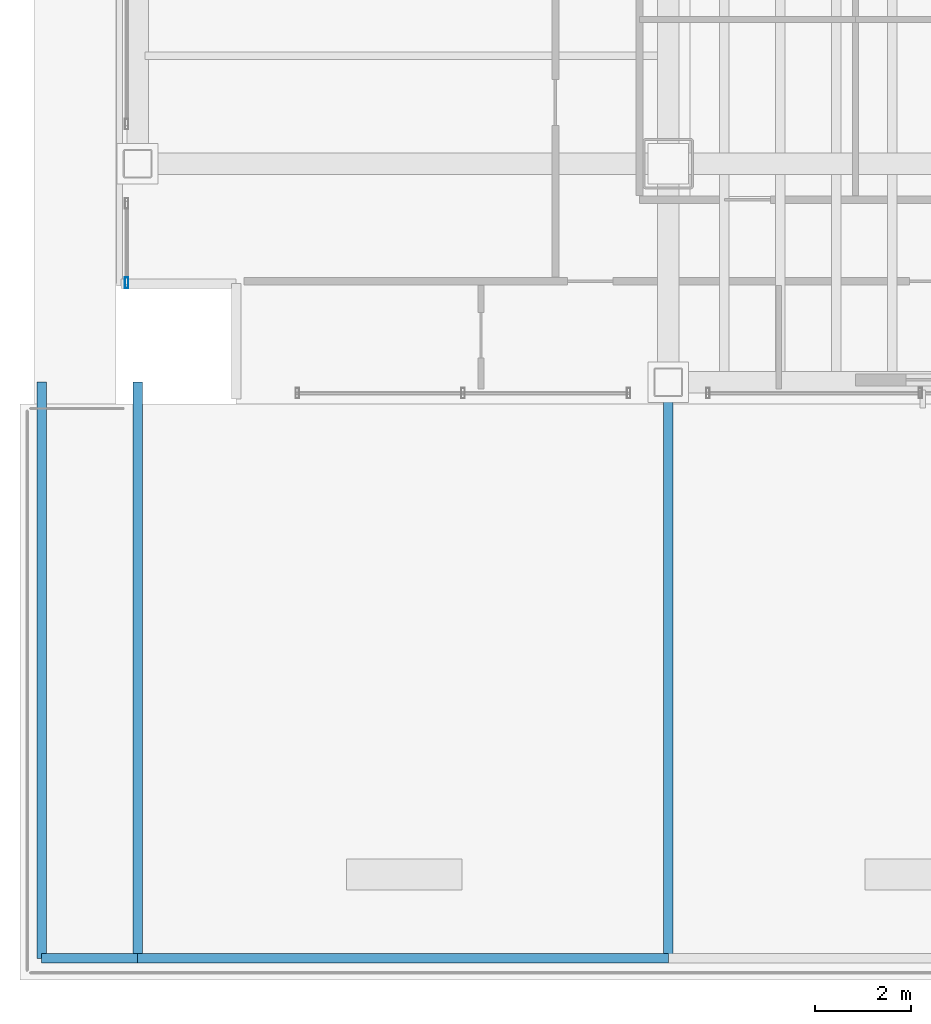
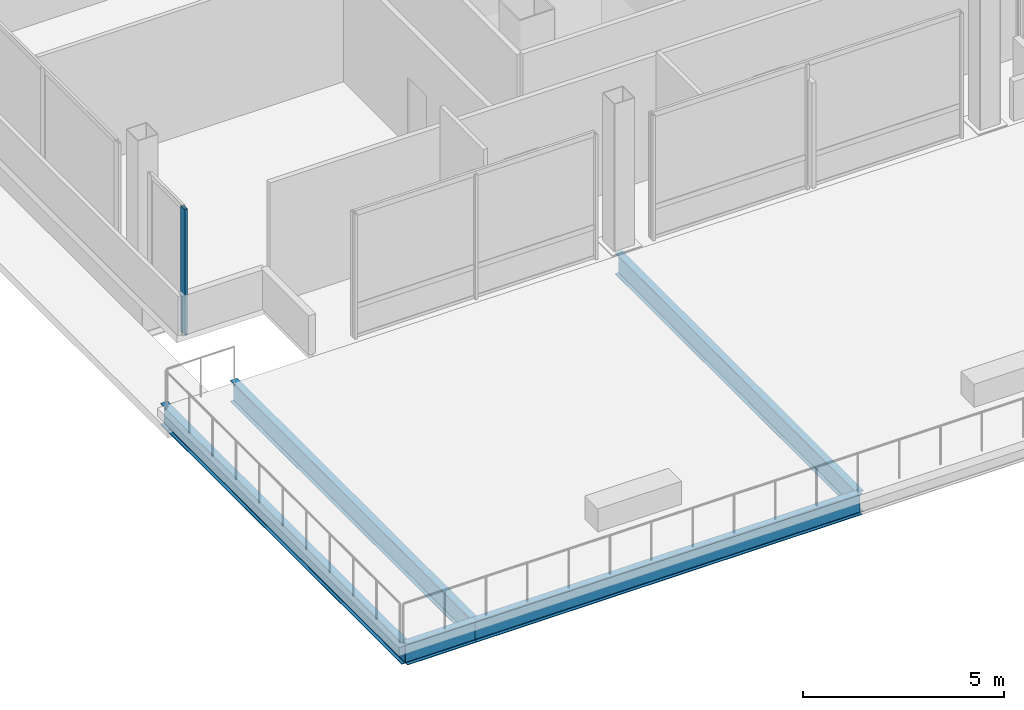
# One storey, part 4 of 34: 5 beams, 1 member, 1 element without a shape of its own.
"""IFC4 building model written with IfcOpenShell, lengths in metres."""

import ifcopenshell
import ifcopenshell.guid

model = None  # the IFC model being written
_history = None  # IfcOwnerHistory: only IFC2X3 demands one
_inside = {}  # id of a spatial element -> (the spatial element, [elements in it])
_under = {}  # id of a project, library or spatial element -> (it, [spatial elements below it])
_declared = {}  # id of a project -> (the project, [libraries it declares])
_typed = {}  # id of a type object -> (the type object, [elements of that type])
_made_of = {}  # id of a material, layer set ... -> (it, [elements and type objects made of it])


def new_model(schema):
    """Start an empty IFC model of exactly this schema.

    Asked for "IFC4X3", IfcOpenShell would pick the latest addendum, in which some entities
    have other attributes; the version numbers below select the first issue.
    IFC2X3 requires an IfcOwnerHistory on every rooted entity: one is made here for all.
    """
    global model, _history
    if schema == "IFC4X3":
        model = ifcopenshell.file(schema_version=(4, 3, 0, 0))
    else:
        model = ifcopenshell.file(schema=schema)
    _inside.clear()
    _under.clear()
    _declared.clear()
    _typed.clear()
    _made_of.clear()
    _history = None
    if model.schema == "IFC2X3":
        org = make("IfcOrganization", Name="unknown")
        user = make(
            "IfcPersonAndOrganization",
            ThePerson=make("IfcPerson", FamilyName="unknown"),
            TheOrganization=org,
        )
        app = make(
            "IfcApplication",
            ApplicationDeveloper=org,
            Version="unknown",
            ApplicationFullName="unknown",
            ApplicationIdentifier="unknown",
        )
        _history = make(
            "IfcOwnerHistory",
            OwningUser=user,
            OwningApplication=app,
            ChangeAction="ADDED",
            CreationDate=0,
        )
    return model


def make(cls, **values):
    """One entity of the class cls with the attributes given. An attribute that is None is left unset."""
    return model.create_entity(
        cls, **{name: value for name, value in values.items() if value is not None}
    )


def rooted(cls, **values):
    """An entity with a GlobalId (a new one), such as an element, a storey or a relation."""
    return make(cls, GlobalId=ifcopenshell.guid.new(), OwnerHistory=_history, **values)


def si_unit(unit_type, name, prefix=None):
    """IfcSIUnit, for example si_unit("LENGTHUNIT", "METRE", prefix="MILLI")."""
    return make("IfcSIUnit", UnitType=unit_type, Prefix=prefix, Name=name)


def assignment(units):
    """IfcUnitAssignment: the units of a project."""
    return None if units is None else make("IfcUnitAssignment", Units=units)


def point(xyz):
    """IfcCartesianPoint."""
    return None if xyz is None else make("IfcCartesianPoint", Coordinates=xyz)


def direction(xyz):
    """IfcDirection."""
    return None if xyz is None else make("IfcDirection", DirectionRatios=xyz)


def frame(location, z_axis=None, x_axis=None):
    """IfcAxis2Placement3D, a coordinate frame: its origin and axes. An axis left out is left unset."""
    return make(
        "IfcAxis2Placement3D",
        Location=point(location),
        Axis=direction(z_axis),
        RefDirection=direction(x_axis),
    )


def frame_2d(location, x_axis=None):
    """IfcAxis2Placement2D, a coordinate frame in the plane: its origin and x axis."""
    return make(
        "IfcAxis2Placement2D", Location=point(location), RefDirection=direction(x_axis)
    )


def origin():
    """The frame at (0, 0, 0) with its axes left unset."""
    return frame((0.0, 0.0, 0.0))


def origin_2d():
    """The frame at (0, 0) in the plane with its x axis left unset."""
    return frame_2d((0.0, 0.0))


def place(relative_to, where):
    """IfcLocalPlacement: puts the frame where relative to a parent placement (None: the world)."""
    return make(
        "IfcLocalPlacement", PlacementRelTo=relative_to, RelativePlacement=where
    )


def context(
    kind, dimensions, precision=None, world=None, true_north=None, identifier=None
):
    """IfcGeometricRepresentationContext, for example the 3D "Model" context."""
    return make(
        "IfcGeometricRepresentationContext",
        ContextIdentifier=identifier,
        ContextType=kind,
        CoordinateSpaceDimension=dimensions,
        Precision=precision,
        WorldCoordinateSystem=world,
        TrueNorth=true_north,
    )


def subcontext(parent, identifier, kind, view, scale=None):
    """IfcGeometricRepresentationSubContext, for example "Body" below "Model"."""
    return make(
        "IfcGeometricRepresentationSubContext",
        ContextIdentifier=identifier,
        ContextType=kind,
        ParentContext=parent,
        TargetScale=scale,
        TargetView=view,
    )


def project(units=None, contexts=None):
    """IfcProject with its units and contexts."""
    return rooted(
        "IfcProject",
        Name="project",
        RepresentationContexts=contexts,
        UnitsInContext=assignment(units),
    )


def spatial(cls, under=None, at=None, **own):
    """A site, building, storey or space (cls), placed at a placement, below another one or the project."""
    s = rooted(cls, ObjectPlacement=at, **own)
    if under is not None:
        _under.setdefault(under.id(), (under, []))[1].append(s)
    return s


def profile(cls, at=None, kind="AREA", **sizes):
    """A parametric profile (cls). Its sizes go by their IFC names, for example OverallWidth=200.0."""
    return make(cls, ProfileType=kind, Position=at, **sizes)


def hollow_rectangle(**sizes):
    """IfcRectangleHollowProfileDef."""
    return profile("IfcRectangleHollowProfileDef", **sizes)


def i_section(**sizes):
    """IfcIShapeProfileDef."""
    return profile("IfcIShapeProfileDef", **sizes)


def extrude(swept, where, along, depth):
    """IfcExtrudedAreaSolid: the profile swept, set in the frame where, extruded along a direction by depth."""
    return make(
        "IfcExtrudedAreaSolid",
        SweptArea=swept,
        Position=where,
        ExtrudedDirection=direction(along),
        Depth=depth,
    )


def shape(context_of_items, identifier, shape_type, items):
    """IfcShapeRepresentation: the items that make up one representation, for example the "Body"."""
    return make(
        "IfcShapeRepresentation",
        ContextOfItems=context_of_items,
        RepresentationIdentifier=identifier,
        RepresentationType=shape_type,
        Items=items,
    )


def material(Name=None, Category=None):
    """IfcMaterial."""
    return make("IfcMaterial", Name=Name, Category=Category)


def material_profile(
    of_material, cross_section, Name=None, Category=None, Priority=None
):
    """IfcMaterialProfile: a cross section and its material."""
    return make(
        "IfcMaterialProfile",
        Name=Name,
        Material=of_material,
        Profile=cross_section,
        Priority=Priority,
        Category=Category,
    )


def profile_set(profiles, Name=None, composite=None):
    """IfcMaterialProfileSet."""
    return make(
        "IfcMaterialProfileSet",
        Name=Name,
        MaterialProfiles=profiles,
        CompositeProfile=composite,
    )


def made_of(thing, what):
    """Note that an element or type object is made of a material, layer set ...; save() writes the relation."""
    if what is not None:
        _made_of.setdefault(what.id(), (what, []))[1].append(thing)
    return thing


def type_object(cls, material=None, **own):
    """A type object (cls), such as IfcWallType, which elements share."""
    return made_of(rooted(cls, **own), material)


def element(
    cls,
    number,
    at=None,
    inside=None,
    cuts=None,
    type_object=None,
    material=None,
    context=None,
    identifier="Body",
    shape_type=None,
    held_by="IfcProductDefinitionShape",
    body=None,
    shapes=None,
    **own,
):
    """One element of the class cls, such as IfcWall. Its Tag is "e" and its number.

    at: its placement. inside: the storey or other place that contains it. cuts: it is an
    opening in that element (IfcRelVoidsElement). A single representation is given by context,
    identifier, shape_type and body (its items); several are given by shapes. held_by: the class
    of the entity that holds the representations. save() writes the other relations.
    """
    e = rooted(cls, Tag="e%d" % number, ObjectPlacement=at, **own)
    if body is not None:
        shapes = [shape(context, identifier, shape_type, body)]
    if shapes is not None:
        e.Representation = make(held_by, Representations=shapes)
    if inside is not None:
        _inside.setdefault(inside.id(), (inside, []))[1].append(e)
    if cuts is not None:
        rooted(
            "IfcRelVoidsElement", RelatingBuildingElement=cuts, RelatedOpeningElement=e
        )
    if type_object is not None:
        _typed.setdefault(type_object.id(), (type_object, []))[1].append(e)
    return made_of(e, material)


def aggregate(whole, parts):
    """IfcRelAggregates: a whole, such as a stair, and the parts it consists of."""
    return rooted("IfcRelAggregates", RelatingObject=whole, RelatedObjects=parts)


def save(model, path):
    """Write the relations noted so far, then the file.

    IfcRelAggregates (storeys below a building ...), IfcRelContainedInSpatialStructure (elements
    in a storey), IfcRelDefinesByType, IfcRelAssociatesMaterial and IfcRelDeclares: one each for
    every whole, place, type object, material and project.
    """
    for whole, parts in _under.values():
        aggregate(whole, parts)
    for where, things in _inside.values():
        rooted(
            "IfcRelContainedInSpatialStructure",
            RelatedElements=things,
            RelatingStructure=where,
        )
    for kind, things in _typed.values():
        rooted("IfcRelDefinesByType", RelatedObjects=things, RelatingType=kind)
    for what, things in _made_of.values():
        rooted("IfcRelAssociatesMaterial", RelatedObjects=things, RelatingMaterial=what)
    for by, libraries in _declared.values():
        rooted("IfcRelDeclares", RelatingContext=by, RelatedDefinitions=libraries)
    model.write(path)


model = new_model("IFC4")

# Units and contexts
model_context = context("Model", 3, precision=1e-05, world=origin(), true_north=direction((0.0, 1.0)))
body_context = subcontext(model_context, "Body", "Model", "MODEL_VIEW")
ifc_project = project(units=[si_unit("LENGTHUNIT", "METRE"), si_unit("AREAUNIT", "SQUARE_METRE"), si_unit("VOLUMEUNIT", "CUBIC_METRE"), si_unit("PLANEANGLEUNIT", "RADIAN"), si_unit("MASSUNIT", "GRAM", prefix="KILO")], contexts=[model_context])

# Site, building, storey
site_placement = place(None, origin())
site = spatial("IfcSite", under=ifc_project, at=site_placement, CompositionType="ELEMENT")
building_placement = place(site_placement, origin())
building = spatial("IfcBuilding", under=site, at=building_placement, Name="Noeulbin Bourse Tower", CompositionType="ELEMENT")
storey_placement = place(building_placement, frame((0.0, 0.0, 22.0)))
storey = spatial("IfcBuildingStorey", under=building, at=storey_placement, Name="L05", CompositionType="ELEMENT", Elevation=22.0)

# Beams
ifc_material_1 = material(Name="Steel S355", Category="steel")
ifc_material_profile_1 = material_profile(ifc_material_1, i_section(OverallWidth=0.199951171875, OverallDepth=0.64990234375, WebThickness=0.010986328125, FlangeThickness=0.01904296875, FilletRadius=0.02197265625, at=origin_2d()), Name="H-650x200x11x19", Category="LoadBearing")
ifc_profile_set_1 = profile_set([ifc_material_profile_1], Name="Steel S355")
beam_type = type_object("IfcBeamType", Name="BM-GRD-650", PredefinedType="USERDEFINED", material=ifc_profile_set_1)
beam_1_placement = place(storey_placement, frame((0.449951171875, 3.449951171875, -0.574951171875), z_axis=(1.0, 0.0, 0.0), x_axis=(0.0, 1.0, 0.0)))
element("IfcBeam", 1, at=beam_1_placement, inside=storey, type_object=beam_type, Name="BM-L05-PTER-EW1", ObjectType="GIRDER", PredefinedType="USERDEFINED", context=body_context, shape_type="SweptSolid", body=[
    extrude(i_section(OverallWidth=0.199951171875, OverallDepth=0.64990234375, WebThickness=0.010986328125, FlangeThickness=0.01904296875, FilletRadius=0.02197265625, at=origin_2d()), origin(), (0.0, 0.0, 1.0), 2.0),
])
beam_2_placement = place(storey_placement, frame((2.449951171875, 3.449951171875, -0.574951171875), z_axis=(1.0, 0.0, 0.0), x_axis=(0.0, 1.0, 0.0)))
element("IfcBeam", 2, at=beam_2_placement, inside=storey, type_object=beam_type, Name="BM-L05-PTER-EW2", ObjectType="GIRDER", PredefinedType="USERDEFINED", context=body_context, shape_type="SweptSolid", body=[
    extrude(i_section(OverallWidth=0.199951171875, OverallDepth=0.64990234375, WebThickness=0.010986328125, FlangeThickness=0.01904296875, FilletRadius=0.02197265625, at=origin_2d()), origin(), (0.0, 0.0, 1.0), 11.050048828125),
])
for number, where, z_axis, x_axis, name in (
    (3, (0.449951171875, 3.449951171875, -0.574951171875), (0.0, 1.0, 0.0), (-1.0, 0.0, 0.0), "BM-L05-PTER-NS1"),
    (4, (2.449951171875, 3.449951171875, -0.574951171875), (0.0, 1.0, 0.0), (-1.0, 0.0, 0.0), "BM-L05-PTER-NS2"),
    (5, (13.5, 3.449951171875, -0.574951171875), (0.0, 1.0, 0.0), (-1.0, 0.0, 0.0), "BM-L05-PTER-NS3"),
):
    element("IfcBeam", number, at=place(storey_placement, frame(where, z_axis=z_axis, x_axis=x_axis)), inside=storey, type_object=beam_type, Name=name, ObjectType="GIRDER", PredefinedType="USERDEFINED", context=body_context, shape_type="SweptSolid", body=[
        extrude(i_section(OverallWidth=0.199951171875, OverallDepth=0.64990234375, WebThickness=0.010986328125, FlangeThickness=0.01904296875, FilletRadius=0.02197265625, at=origin_2d()), origin(), (0.0, 0.0, 1.0), 12.0),
    ])

# Curtain wall, member
ifc_material_2 = material(Name="Dark Solar-Control Double Glazing", Category="glass")
curtain_wall_type = type_object("IfcCurtainWallType", Name="CW-SYS-2", PredefinedType="NOTDEFINED", material=ifc_material_2)
curtain_wall_placement = place(storey_placement, origin())
curtain_wall = element("IfcCurtainWall", 6, at=curtain_wall_placement, inside=storey, type_object=curtain_wall_type, Name="Unitised Curtain Wall CW-L05-W-S1", PredefinedType="NOTDEFINED")
ifc_material_3 = material(Name="Anodised Aluminium 6063-T6", Category="aluminium")
ifc_material_profile_2 = material_profile(ifc_material_3, hollow_rectangle(XDim=0.074951171875, YDim=0.219970703125, WallThickness=0.0048828125, InnerFilletRadius=0.00244140625, OuterFilletRadius=0.0048828125, at=origin_2d()), Name="ALU-MULL-75x220x5", Category="LoadBearing")
ifc_profile_set_2 = profile_set([ifc_material_profile_2], Name="Anodised Aluminium 6063-T6")
member_type = type_object("IfcMemberType", Name="CW-SYS-2-MUL", PredefinedType="MULLION", material=ifc_profile_set_2)
member_placement = place(storey_placement, frame((2.219970703125, 17.52001953125, -0.02001953125), z_axis=(0.0, 0.0, 1.0), x_axis=(1.0, 0.0, 0.0)))
member = element("IfcMember", 7, at=member_placement, type_object=member_type, Name="Curtain Wall Mullion CW-L05-W-S1-M00", PredefinedType="MULLION", context=body_context, shape_type="SweptSolid", body=[
    extrude(hollow_rectangle(XDim=0.074951171875, YDim=0.219970703125, WallThickness=0.0048828125, InnerFilletRadius=0.00244140625, OuterFilletRadius=0.0048828125, at=origin_2d()), origin(), (0.0, 0.0, 1.0), 3.820068359375),
])
aggregate(curtain_wall, [member])

save(model, "model.ifc")
